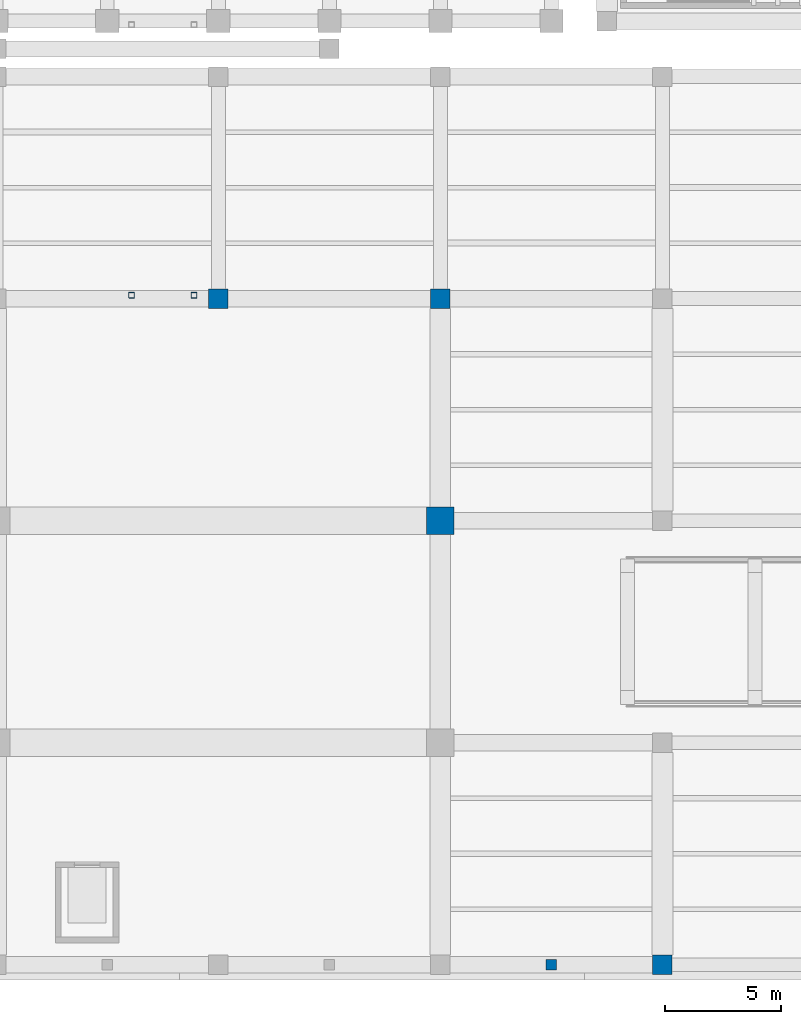
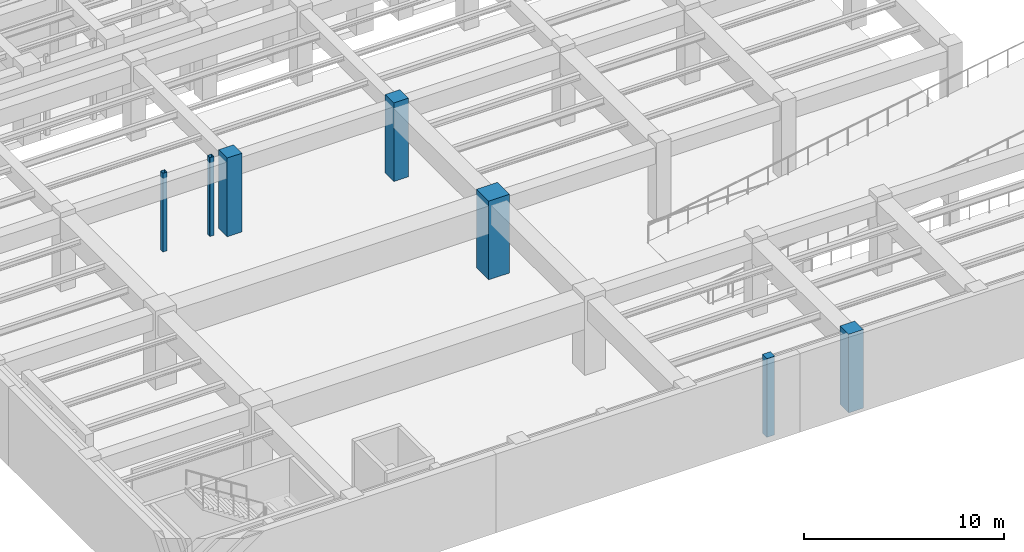
# One storey, part 2 of 45: 7 columns.
"""IFC4 building model written with IfcOpenShell, lengths in metres."""

from ifc_helpers import new_model, si_unit, direction, frame, origin, origin_2d, place, context, subcontext, project, spatial, rectangle, hollow_rectangle, extrude, material, material_profile, profile_set, type_object, element, save


model = new_model("IFC4")

# Units and contexts
model_context = context("Model", 3, precision=1e-05, world=origin(), true_north=direction((0.0, 1.0)))
body_context = subcontext(model_context, "Body", "Model", "MODEL_VIEW")
ifc_project = project(units=[si_unit("LENGTHUNIT", "METRE"), si_unit("AREAUNIT", "SQUARE_METRE"), si_unit("VOLUMEUNIT", "CUBIC_METRE"), si_unit("PLANEANGLEUNIT", "RADIAN"), si_unit("MASSUNIT", "GRAM", prefix="KILO")], contexts=[model_context])

# Site, building, storey
site_placement = place(None, origin())
site = spatial("IfcSite", under=ifc_project, at=site_placement, CompositionType="ELEMENT")
building_placement = place(site_placement, origin())
building = spatial("IfcBuilding", under=site, at=building_placement, Name="Mavantir Sound Aquarium", CompositionType="ELEMENT")
storey_placement = place(building_placement, frame((0.0, 0.0, -4.800048828125)))
storey = spatial("IfcBuildingStorey", under=building, at=storey_placement, Name="B1", CompositionType="ELEMENT", Elevation=-4.800048828125)

# Columns
ifc_material_1 = material(Name="Concrete C40/50", Category="concrete")
ifc_material_profile_1 = material_profile(ifc_material_1, rectangle(XDim=1.199951171875, YDim=1.199951171875, at=origin_2d()), Name="RC 1200X1200")
ifc_profile_set_1 = profile_set([ifc_material_profile_1], Name="Concrete C40/50")
column_type_1 = type_object("IfcColumnType", Name="COL-RC1200-I", PredefinedType="COLUMN", material=ifc_profile_set_1)
column_1_placement = place(storey_placement, frame((28.800048828125, 19.199951171875, 0.0), z_axis=(0.0, 0.0, 1.0), x_axis=(1.0, 0.0, 0.0)))
element("IfcColumn", 1, at=column_1_placement, inside=storey, type_object=column_type_1, Name="B1 column RC-C12 (V3)", PredefinedType="COLUMN", context=body_context, shape_type="SweptSolid", body=[
    extrude(rectangle(XDim=1.199951171875, YDim=1.199951171875, at=origin_2d()), origin(), (0.0, 0.0, 1.0), 4.800048828125),
])
ifc_material_profile_2 = material_profile(ifc_material_1, rectangle(XDim=0.449951171875, YDim=0.449951171875, at=origin_2d()), Name="RC 450X450")
ifc_profile_set_2 = profile_set([ifc_material_profile_2], Name="Concrete C40/50")
column_type_2 = type_object("IfcColumnType", Name="COL-RC450-E", PredefinedType="PILASTER", material=ifc_profile_set_2)
column_2_placement = place(storey_placement, frame((33.60009765625, 0.0, 0.0), z_axis=(0.0, 0.0, 1.0), x_axis=(1.0, 0.0, 0.0)))
element("IfcColumn", 2, at=column_2_placement, inside=storey, type_object=column_type_2, Name="Postmodern facade pilaster B1.4", PredefinedType="PILASTER", context=body_context, shape_type="SweptSolid", body=[
    extrude(rectangle(XDim=0.449951171875, YDim=0.449951171875, at=origin_2d()), origin(), (0.0, 0.0, 1.0), 4.800048828125),
])
ifc_material_profile_3 = material_profile(ifc_material_1, rectangle(XDim=0.85009765625, YDim=0.85009765625, at=origin_2d()), Name="RC 850X850")
ifc_profile_set_3 = profile_set([ifc_material_profile_3], Name="Concrete C40/50")
column_type_3 = type_object("IfcColumnType", Name="COL-RC850-E", PredefinedType="COLUMN", material=ifc_profile_set_3)
column_3_placement = place(storey_placement, frame((38.39990234375, 0.0, 0.0), z_axis=(0.0, 0.0, 1.0), x_axis=(1.0, 0.0, 0.0)))
element("IfcColumn", 3, at=column_3_placement, inside=storey, type_object=column_type_3, Name="B1 column RC-C85 (V3)", PredefinedType="COLUMN", context=body_context, shape_type="SweptSolid", body=[
    extrude(rectangle(XDim=0.85009765625, YDim=0.85009765625, at=origin_2d()), origin(), (0.0, 0.0, 1.0), 4.800048828125),
])
ifc_material_profile_4 = material_profile(ifc_material_1, rectangle(XDim=0.85009765625, YDim=0.85009765625, at=origin_2d()), Name="RC 850X850")
ifc_profile_set_4 = profile_set([ifc_material_profile_4], Name="Concrete C40/50")
column_type_4 = type_object("IfcColumnType", Name="COL-RC850-I", PredefinedType="COLUMN", material=ifc_profile_set_4)
for number, where, z_axis, x_axis, name in (
    (4, (19.199951171875, 28.800048828125, 0.0), (0.0, 0.0, 1.0), (1.0, 0.0, 0.0), "B1 column RC-C85 (V3)"),
    (5, (28.800048828125, 28.800048828125, 0.0), (0.0, 0.0, 1.0), (1.0, 0.0, 0.0), "B1 column RC-C85 (V3)"),
):
    element("IfcColumn", number, at=place(storey_placement, frame(where, z_axis=z_axis, x_axis=x_axis)), inside=storey, type_object=column_type_4, Name=name, PredefinedType="COLUMN", context=body_context, shape_type="SweptSolid", body=[
        extrude(rectangle(XDim=0.85009765625, YDim=0.85009765625, at=origin_2d()), origin(), (0.0, 0.0, 1.0), 4.800048828125),
    ])
ifc_material_2 = material(Name="Hollow Structural Steel ASTM A500 GrC", Category="steel")
ifc_material_profile_5 = material_profile(ifc_material_2, hollow_rectangle(XDim=0.25, YDim=0.25, WallThickness=0.012451171875, InnerFilletRadius=0.012451171875, OuterFilletRadius=0.02490234375, at=origin_2d()), Name="SHS 250X250X12.5")
ifc_profile_set_5 = profile_set([ifc_material_profile_5], Name="Hollow Structural Steel ASTM A500 GrC")
column_type_5 = type_object("IfcColumnType", Name="COL-SHS250-E", PredefinedType="COLUMN", material=ifc_profile_set_5)
for number, where, z_axis, x_axis, name in (
    (6, (15.449951171875, 28.949951171875, 0.0), (0.0, 0.0, 1.0), (1.0, 0.0, 0.0), "Bridge support column 2.1 (B1)"),
    (7, (18.14990234375, 28.949951171875, 0.0), (0.0, 0.0, 1.0), (1.0, 0.0, 0.0), "Bridge support column 2.3 (B1)"),
):
    element("IfcColumn", number, at=place(storey_placement, frame(where, z_axis=z_axis, x_axis=x_axis)), inside=storey, type_object=column_type_5, Name=name, PredefinedType="COLUMN", context=body_context, shape_type="SweptSolid", body=[
        extrude(hollow_rectangle(XDim=0.25, YDim=0.25, WallThickness=0.012451171875, InnerFilletRadius=0.012451171875, OuterFilletRadius=0.02490234375, at=origin_2d()), origin(), (0.0, 0.0, 1.0), 4.800048828125),
    ])

save(model, "model.ifc")
